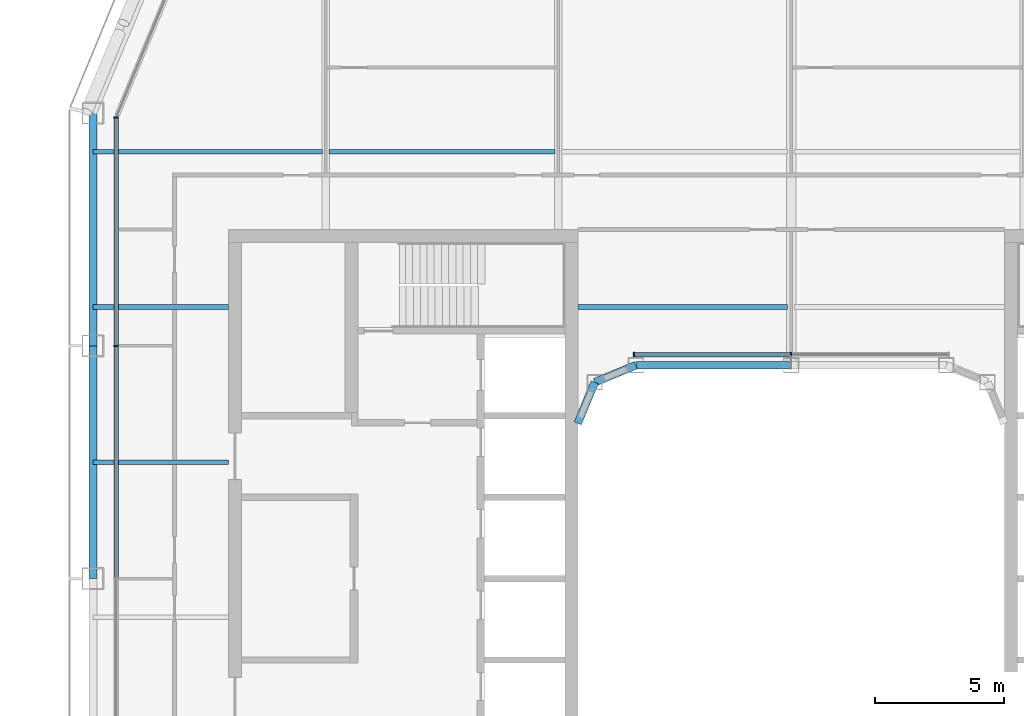
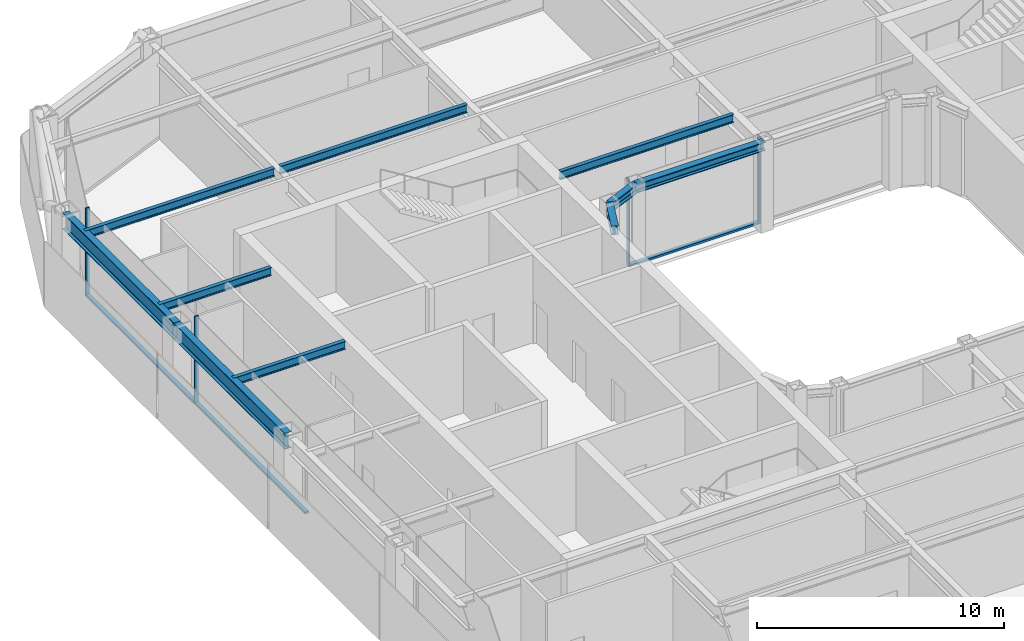
# One storey, part 6 of 23: 10 beams, 7 members, 2 elements without a shape of their own.
"""IFC4 building model written with IfcOpenShell, lengths in metres."""

from ifc_helpers import new_model, si_unit, direction, frame, origin, origin_2d, place, context, subcontext, project, spatial, rectangle, i_section, extrude, material, layer, layer_set, material_profile, profile_set, type_object, element, aggregate, save


model = new_model("IFC4")

# Units and contexts
model_context = context("Model", 3, precision=1e-05, world=origin(), true_north=direction((0.0, 1.0)))
body_context = subcontext(model_context, "Body", "Model", "MODEL_VIEW")
ifc_project = project(units=[si_unit("LENGTHUNIT", "METRE"), si_unit("AREAUNIT", "SQUARE_METRE"), si_unit("VOLUMEUNIT", "CUBIC_METRE"), si_unit("PLANEANGLEUNIT", "RADIAN"), si_unit("MASSUNIT", "GRAM", prefix="KILO")], contexts=[model_context])

# Site, building, storey
site_placement = place(None, origin())
site = spatial("IfcSite", under=ifc_project, at=site_placement, CompositionType="ELEMENT")
building_placement = place(site_placement, origin())
building = spatial("IfcBuilding", under=site, at=building_placement, Name="Siwar Civic Tower", CompositionType="ELEMENT")
storey_placement = place(building_placement, frame((0.0, 0.0, 233.199951171875)))
storey = spatial("IfcBuildingStorey", under=building, at=storey_placement, Name="L50", CompositionType="ELEMENT", Elevation=233.199951171875)

# Curtain wall, members
ifc_material_1 = material(Name="Aluminium and glass", Category="aluminium")
ifc_layer_1 = layer(ifc_material_1, 0.179931640625)
ifc_layer_set_1 = layer_set([ifc_layer_1], Name="Aluminium and glass")
curtain_wall_type_1 = type_object("IfcCurtainWallType", Name="ENV-CW-C", PredefinedType="NOTDEFINED", material=ifc_layer_set_1)
curtain_wall_1_placement = place(storey_placement, origin())
curtain_wall_1 = element("IfcCurtainWall", 1, at=curtain_wall_1_placement, inside=storey, type_object=curtain_wall_type_1, Name="Curtain wall C W", PredefinedType="NOTDEFINED")
ifc_material_2 = material(Name="Aluminium 6063-T6", Category="aluminium")
ifc_material_profile_1 = material_profile(ifc_material_2, rectangle(XDim=0.179931640625, YDim=0.06005859375, at=origin_2d()), Name="AL 180x60")
ifc_profile_set_1 = profile_set([ifc_material_profile_1], Name="Aluminium 6063-T6")
member_type_1 = type_object("IfcMemberType", Name="ENV-MULLION-C", PredefinedType="MULLION", material=ifc_profile_set_1)
member_1_placement = place(storey_placement, frame((-26.10009765625, 17.821044921875, 0.0), z_axis=(0.0, 0.0, 1.0), x_axis=(1.0, 0.0, 0.0)))
member_1 = element("IfcMember", 2, at=member_1_placement, type_object=member_type_1, Name="Mullion C W 1", PredefinedType="MULLION", context=body_context, shape_type="SweptSolid", body=[
    extrude(rectangle(XDim=0.179931640625, YDim=0.06005859375, at=origin_2d()), origin(), (0.0, 0.0, 1.0), 4.35009765625),
])
member_2_placement = place(storey_placement, frame((-26.10009765625, 9.0, 0.0), z_axis=(0.0, 0.0, 1.0), x_axis=(1.0, 0.0, 0.0)))
member_2 = element("IfcMember", 3, at=member_2_placement, type_object=member_type_1, Name="Mullion C W 2", PredefinedType="MULLION", context=body_context, shape_type="SweptSolid", body=[
    extrude(rectangle(XDim=0.179931640625, YDim=0.06005859375, at=origin_2d()), origin(), (0.0, 0.0, 1.0), 4.35009765625),
])

ifc_material_3 = material(Name="Aluminium and glass", Category="aluminium")
ifc_layer_2 = layer(ifc_material_3, 0.179931640625)
ifc_layer_set_2 = layer_set([ifc_layer_2], Name="Aluminium and glass")
curtain_wall_type_2 = type_object("IfcCurtainWallType", Name="ENV-CW-W", PredefinedType="NOTDEFINED", material=ifc_layer_set_2)
curtain_wall_2_placement = place(storey_placement, origin())
curtain_wall_2 = element("IfcCurtainWall", 4, at=curtain_wall_2_placement, inside=storey, type_object=curtain_wall_type_2, Name="Curtain wall W WN", PredefinedType="NOTDEFINED")
ifc_material_4 = material(Name="Aluminium 6063-T6", Category="aluminium")
ifc_material_profile_2 = material_profile(ifc_material_4, rectangle(XDim=0.179931640625, YDim=0.06005859375, at=origin_2d()), Name="AL 180x60")
ifc_profile_set_2 = profile_set([ifc_material_profile_2], Name="Aluminium 6063-T6")
member_type_2 = type_object("IfcMemberType", Name="ENV-MULLION-W", PredefinedType="MULLION", material=ifc_profile_set_2)
member_3_placement = place(storey_placement, frame((0.0, 8.659912109375, 0.0), z_axis=(0.0, 0.0, 1.0), x_axis=(0.0, -1.0, 0.0)))
member_3 = element("IfcMember", 5, at=member_3_placement, type_object=member_type_2, Name="Mullion W WN 2", PredefinedType="MULLION", context=body_context, shape_type="SweptSolid", body=[
    extrude(rectangle(XDim=0.179931640625, YDim=0.06005859375, at=origin_2d()), origin(), (0.0, 0.0, 1.0), 4.35009765625),
])
member_4_placement = place(storey_placement, frame((-6.08154296875, 8.659912109375, 0.0), z_axis=(0.0, 0.0, 1.0), x_axis=(0.0, -1.0, 0.0)))
member_4 = element("IfcMember", 6, at=member_4_placement, type_object=member_type_2, Name="Mullion W WN 3", PredefinedType="MULLION", context=body_context, shape_type="SweptSolid", body=[
    extrude(rectangle(XDim=0.179931640625, YDim=0.06005859375, at=origin_2d()), origin(), (0.0, 0.0, 1.0), 4.35009765625),
])

# Member
ifc_material_5 = material(Name="Aluminium 6063-T6", Category="aluminium")
ifc_material_profile_3 = material_profile(ifc_material_5, rectangle(XDim=0.179931640625, YDim=0.10009765625, at=origin_2d()), Name="AL 180x100")
ifc_profile_set_3 = profile_set([ifc_material_profile_3], Name="Aluminium 6063-T6")
member_type_3 = type_object("IfcMemberType", Name="ENV-TRANSOM-C", PredefinedType="USERDEFINED", material=ifc_profile_set_3)
member_5_placement = place(storey_placement, frame((-26.10009765625, 17.791015625, 0.050048828125), z_axis=(0.0, -1.0, 0.0), x_axis=(1.0, 0.0, 0.0)))
member_5 = element("IfcMember", 7, at=member_5_placement, type_object=member_type_3, Name="Transom C W 1", ObjectType="TRANSOM", PredefinedType="USERDEFINED", context=body_context, shape_type="SweptSolid", body=[
    extrude(rectangle(XDim=0.179931640625, YDim=0.10009765625, at=origin_2d()), origin(), (0.0, 0.0, 1.0), 8.760986328125),
])

member_6_placement = place(storey_placement, frame((-26.10009765625, 8.969970703125, 0.050048828125), z_axis=(0.0, -1.0, 0.0), x_axis=(1.0, 0.0, 0.0)))
member_6 = element("IfcMember", 8, at=member_6_placement, type_object=member_type_3, Name="Transom C W 2", ObjectType="TRANSOM", PredefinedType="USERDEFINED", context=body_context, shape_type="SweptSolid", body=[
    extrude(rectangle(XDim=0.179931640625, YDim=0.10009765625, at=origin_2d()), origin(), (0.0, 0.0, 1.0), 8.93994140625),
])

aggregate(curtain_wall_1, [member_1, member_2, member_5, member_6])

ifc_material_6 = material(Name="Aluminium 6063-T6", Category="aluminium")
ifc_material_profile_4 = material_profile(ifc_material_6, rectangle(XDim=0.179931640625, YDim=0.10009765625, at=origin_2d()), Name="AL 180x100")
ifc_profile_set_4 = profile_set([ifc_material_profile_4], Name="Aluminium 6063-T6")
member_type_4 = type_object("IfcMemberType", Name="ENV-TRANSOM-W", PredefinedType="USERDEFINED", material=ifc_profile_set_4)
member_7_placement = place(storey_placement, frame((-0.030029296875, 8.659912109375, 0.050048828125), z_axis=(-1.0, 0.0, 0.0), x_axis=(0.0, -1.0, 0.0)))
member_7 = element("IfcMember", 9, at=member_7_placement, type_object=member_type_4, Name="Transom W WN 2", ObjectType="TRANSOM", PredefinedType="USERDEFINED", context=body_context, shape_type="SweptSolid", body=[
    extrude(rectangle(XDim=0.179931640625, YDim=0.10009765625, at=origin_2d()), origin(), (0.0, 0.0, 1.0), 6.021484375),
])

aggregate(curtain_wall_2, [member_3, member_4, member_7])

# Beams
ifc_material_7 = material(Name="Steel S355", Category="steel")
ifc_material_profile_5 = material_profile(ifc_material_7, i_section(OverallWidth=0.179931640625, OverallDepth=0.39990234375, WebThickness=0.008544921875, FlangeThickness=0.013427734375, FilletRadius=0.02099609375, at=origin_2d()), Name="IPE400")
ifc_profile_set_5 = profile_set([ifc_material_profile_5], Name="Steel S355")
beam_type_1 = type_object("IfcBeamType", Name="STR-FB-IPE400", PredefinedType="JOIST", material=ifc_profile_set_5)
for number, where, z_axis, x_axis, name in (
    (10, (-27.0, 4.5, 4.150146484375), (1.0, 0.0, 0.0), (0.0, 1.0, 0.0), "L50/bm/F025"),
    (11, (-27.0, 10.5, 4.150146484375), (1.0, 0.0, 0.0), (0.0, 1.0, 0.0), "L50/bm/F027"),
):
    element("IfcBeam", number, at=place(storey_placement, frame(where, z_axis=z_axis, x_axis=x_axis)), inside=storey, type_object=beam_type_1, Name=name, PredefinedType="JOIST", context=body_context, shape_type="SweptSolid", body=[
        extrude(i_section(OverallWidth=0.179931640625, OverallDepth=0.39990234375, WebThickness=0.008544921875, FlangeThickness=0.013427734375, FilletRadius=0.02099609375, at=origin_2d()), origin(), (0.0, 0.0, 1.0), 5.25),
    ])
beam_1_placement = place(storey_placement, frame((-8.25, 10.5, 4.150146484375), z_axis=(1.0, 0.0, 0.0), x_axis=(0.0, 1.0, 0.0)))
element("IfcBeam", 12, at=beam_1_placement, inside=storey, type_object=beam_type_1, Name="L50/bm/F028", PredefinedType="JOIST", context=body_context, shape_type="SweptSolid", body=[
    extrude(i_section(OverallWidth=0.179931640625, OverallDepth=0.39990234375, WebThickness=0.008544921875, FlangeThickness=0.013427734375, FilletRadius=0.02099609375, at=origin_2d()), origin(), (0.0, 0.0, 1.0), 8.1201171875),
])
beam_2_placement = place(storey_placement, frame((-27.0, 16.5, 4.150146484375), z_axis=(1.0, 0.0, 0.0), x_axis=(0.0, 1.0, 0.0)))
element("IfcBeam", 13, at=beam_2_placement, inside=storey, type_object=beam_type_1, Name="L50/bm/F031", PredefinedType="JOIST", context=body_context, shape_type="SweptSolid", body=[
    extrude(i_section(OverallWidth=0.179931640625, OverallDepth=0.39990234375, WebThickness=0.008544921875, FlangeThickness=0.013427734375, FilletRadius=0.02099609375, at=origin_2d()), origin(), (0.0, 0.0, 1.0), 8.8701171875),
])
beam_3_placement = place(storey_placement, frame((-17.8701171875, 16.5, 4.150146484375), z_axis=(1.0, 0.0, 0.0), x_axis=(0.0, 1.0, 0.0)))
element("IfcBeam", 14, at=beam_3_placement, inside=storey, type_object=beam_type_1, Name="L50/bm/F032", PredefinedType="JOIST", context=body_context, shape_type="SweptSolid", body=[
    extrude(i_section(OverallWidth=0.179931640625, OverallDepth=0.39990234375, WebThickness=0.008544921875, FlangeThickness=0.013427734375, FilletRadius=0.02099609375, at=origin_2d()), origin(), (0.0, 0.0, 1.0), 8.740234375),
])
ifc_material_8 = material(Name="Steel S355", Category="steel")
ifc_material_profile_6 = material_profile(ifc_material_8, i_section(OverallWidth=0.306884765625, OverallDepth=0.431884765625, WebThickness=0.02099609375, FlangeThickness=0.0400390625, FilletRadius=0.027099609375, at=origin_2d()), Name="HEM400")
ifc_profile_set_6 = profile_set([ifc_material_profile_6], Name="Steel S355")
beam_type_2 = type_object("IfcBeamType", Name="STR-RB-HEM400", PredefinedType="BEAM", material=ifc_profile_set_6)
beam_4_placement = place(storey_placement, frame((-7.591064453125, 7.591064453125, 4.134033203125), z_axis=(0.923901072997, 0.382631424892, 0.0), x_axis=(-0.382631424892, 0.923901072997, 0.0)))
element("IfcBeam", 15, at=beam_4_placement, inside=storey, type_object=beam_type_2, Name="L50/bm/RN0", PredefinedType="BEAM", context=body_context, shape_type="SweptSolid", body=[
    extrude(i_section(OverallWidth=0.306884765625, OverallDepth=0.431884765625, WebThickness=0.02099609375, FlangeThickness=0.0400390625, FilletRadius=0.027099609375, at=origin_2d()), origin(), (0.0, 0.0, 1.0), 1.72216796875),
])
beam_5_placement = place(storey_placement, frame((-6.0, 8.25, 4.134033203125), z_axis=(1.0, 0.0, 0.0), x_axis=(0.0, 1.0, 0.0)))
element("IfcBeam", 16, at=beam_5_placement, inside=storey, type_object=beam_type_2, Name="L50/bm/RN1", PredefinedType="BEAM", context=body_context, shape_type="SweptSolid", body=[
    extrude(i_section(OverallWidth=0.306884765625, OverallDepth=0.431884765625, WebThickness=0.02099609375, FlangeThickness=0.0400390625, FilletRadius=0.027099609375, at=origin_2d()), origin(), (0.0, 0.0, 1.0), 6.0),
])
beam_6_placement = place(storey_placement, frame((-7.591064453125, 7.591064453125, 4.134033203125), z_axis=(-0.382631424892, -0.923901072997, 0.0), x_axis=(0.923901072997, -0.382631424892, 0.0)))
element("IfcBeam", 17, at=beam_6_placement, inside=storey, type_object=beam_type_2, Name="L50/bm/RNEW", PredefinedType="BEAM", context=body_context, shape_type="SweptSolid", body=[
    extrude(i_section(OverallWidth=0.306884765625, OverallDepth=0.431884765625, WebThickness=0.02099609375, FlangeThickness=0.0400390625, FilletRadius=0.027099609375, at=origin_2d()), origin(), (0.0, 0.0, 1.0), 1.72216796875),
])
ifc_material_9 = material(Name="Steel S355", Category="steel")
ifc_material_profile_7 = material_profile(ifc_material_9, i_section(OverallWidth=0.300048828125, OverallDepth=0.800048828125, WebThickness=0.017578125, FlangeThickness=0.032958984375, FilletRadius=0.030029296875, at=origin_2d()), Name="HEB800")
ifc_profile_set_7 = profile_set([ifc_material_profile_7], Name="Steel S355")
beam_type_3 = type_object("IfcBeamType", Name="STR-SB-HEB800", PredefinedType="BEAM", material=ifc_profile_set_7)
for number, where, z_axis, x_axis, name in (
    (18, (-27.0, 18.0, 3.949951171875), (0.0, -1.0, 0.0), (1.0, 0.0, 0.0), "L50/bm/SW-0"),
    (19, (-27.0, 9.0, 3.949951171875), (0.0, -1.0, 0.0), (1.0, 0.0, 0.0), "L50/bm/SW-1"),
):
    element("IfcBeam", number, at=place(storey_placement, frame(where, z_axis=z_axis, x_axis=x_axis)), inside=storey, type_object=beam_type_3, Name=name, PredefinedType="BEAM", context=body_context, shape_type="SweptSolid", body=[
        extrude(i_section(OverallWidth=0.300048828125, OverallDepth=0.800048828125, WebThickness=0.017578125, FlangeThickness=0.032958984375, FilletRadius=0.030029296875, at=origin_2d()), origin(), (0.0, 0.0, 1.0), 9.0),
    ])

save(model, "model.ifc")
